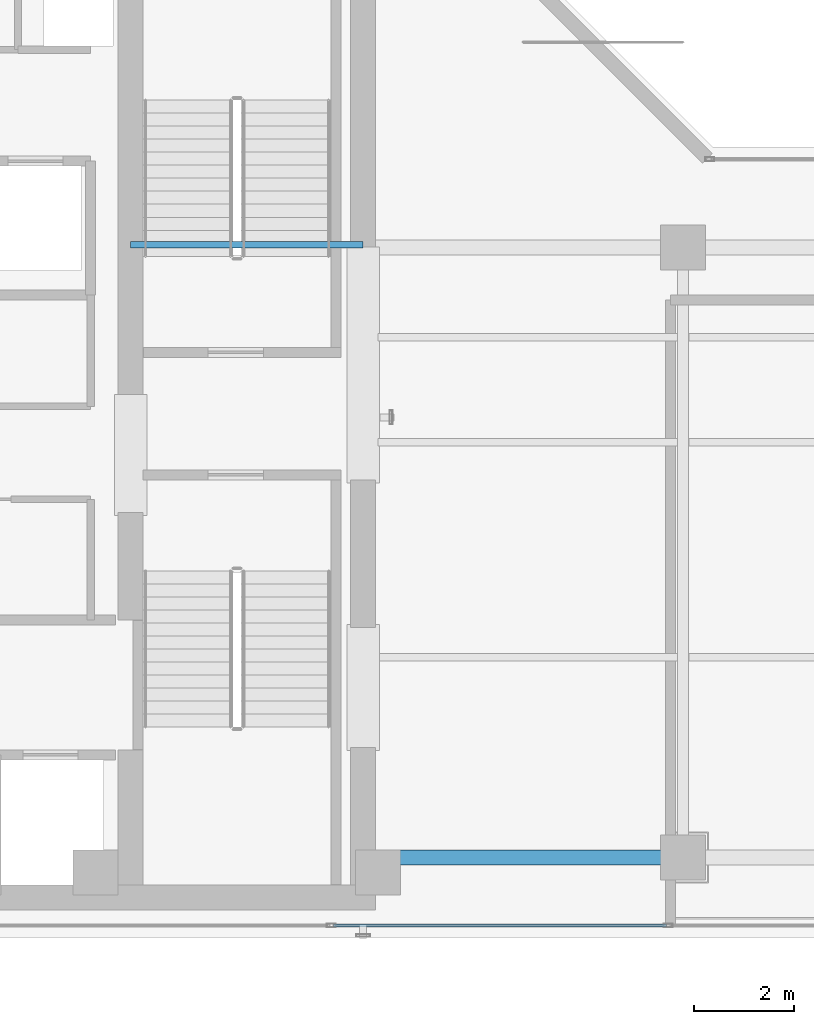
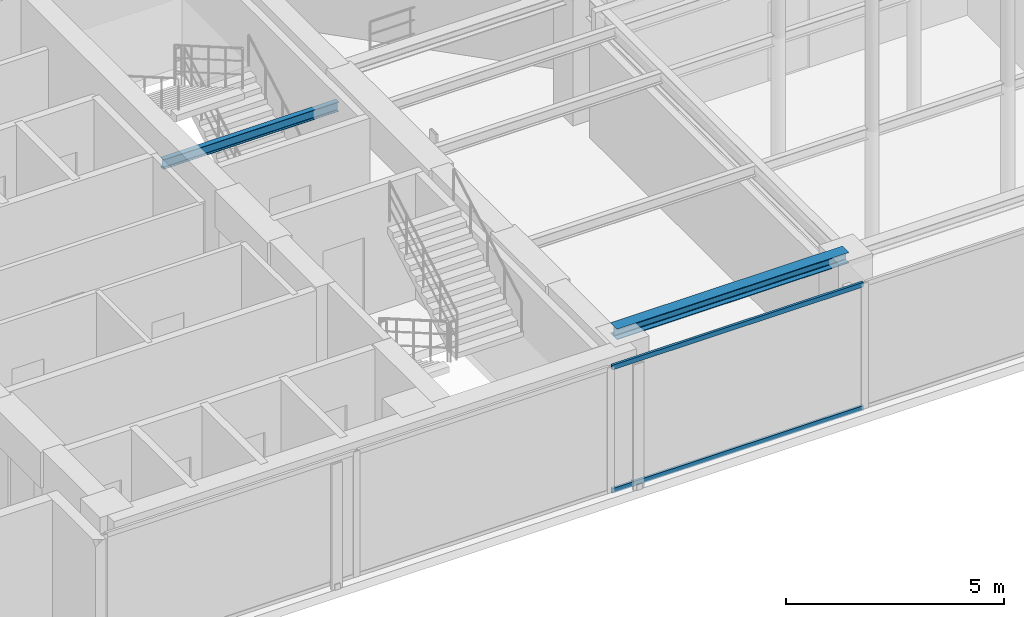
# One storey, part 5 of 32: 2 beams, 2 members, 1 element without a shape of its own.
"""IFC4 building model written with IfcOpenShell, lengths in metres."""

from ifc_helpers import new_model, si_unit, direction, frame, origin, origin_with_axes, origin_2d, place, context, subcontext, project, spatial, hollow_rectangle, i_section, extrude, source, transform, mapped, material, layer, layer_set, material_profile, profile_set, type_object, element, aggregate, save


model = new_model("IFC4")

# Units and contexts
model_context = context("Model", 3, precision=1e-05, world=origin(), true_north=direction((0.0, 1.0)))
body_context = subcontext(model_context, "Body", "Model", "MODEL_VIEW")
ifc_project = project(units=[si_unit("LENGTHUNIT", "METRE"), si_unit("AREAUNIT", "SQUARE_METRE"), si_unit("VOLUMEUNIT", "CUBIC_METRE"), si_unit("PLANEANGLEUNIT", "RADIAN"), si_unit("MASSUNIT", "GRAM", prefix="KILO")], contexts=[model_context])

# Site, building, storey
site_placement = place(None, origin())
site = spatial("IfcSite", under=ifc_project, at=site_placement, CompositionType="ELEMENT")
building_placement = place(site_placement, origin())
building = spatial("IfcBuilding", under=site, at=building_placement, Name="Kolvaren Waterfront Exchange", CompositionType="ELEMENT")
storey_placement = place(building_placement, frame((0.0, 0.0, 348.10009765625)))
storey = spatial("IfcBuildingStorey", under=building, at=storey_placement, Name="L89", CompositionType="ELEMENT", Elevation=348.10009765625)

# Beams
ifc_material_1 = material(Name="Steel S355", Category="steel")
ifc_material_profile_1 = material_profile(ifc_material_1, i_section(OverallWidth=0.300048828125, OverallDepth=0.300048828125, WebThickness=0.010986328125, FlangeThickness=0.01904296875, FilletRadius=0.027099609375, at=origin_2d()), Name="HEB300")
ifc_profile_set_1 = profile_set([ifc_material_profile_1], Name="Steel S355")
beam_type_1 = type_object("IfcBeamType", Name="STR-BM-HEB300", PredefinedType="SPANDREL", material=ifc_profile_set_1)
beam_1_placement = place(storey_placement, frame((21.050048828125, 5.199951171875, 3.369873046875), z_axis=(1.0, 0.0, 0.0), x_axis=(0.0, 1.0, 0.0)))
element("IfcBeam", 1, at=beam_1_placement, inside=storey, type_object=beam_type_1, Name="L89 east-arm spandrel S1", PredefinedType="SPANDREL", context=body_context, shape_type="SweptSolid", body=[
    extrude(i_section(OverallWidth=0.300048828125, OverallDepth=0.300048828125, WebThickness=0.010986328125, FlangeThickness=0.01904296875, FilletRadius=0.027099609375, at=origin_2d()), origin(), (0.0, 0.0, 1.0), 6.14990234375),
])
ifc_material_profile_2 = material_profile(ifc_material_1, i_section(OverallWidth=0.135009765625, OverallDepth=0.27001953125, WebThickness=0.006591796875, FlangeThickness=0.01025390625, FilletRadius=0.014892578125, at=origin_2d()), Name="IPE270")
ifc_profile_set_2 = profile_set([ifc_material_profile_2], Name="Steel S355")
beam_type_2 = type_object("IfcBeamType", Name="STR-BM-IPE270", PredefinedType="LINTEL", material=ifc_profile_set_2)
beam_2_placement = place(storey_placement, frame((16.14990234375, 17.449951171875, 2.364990234375), z_axis=(1.0, 0.0, 0.0), x_axis=(0.0, 1.0, 0.0)))
element("IfcBeam", 2, at=beam_2_placement, inside=storey, type_object=beam_type_2, Name="L89 core stair header lintel", PredefinedType="LINTEL", context=body_context, shape_type="SweptSolid", body=[
    extrude(i_section(OverallWidth=0.135009765625, OverallDepth=0.27001953125, WebThickness=0.006591796875, FlangeThickness=0.01025390625, FilletRadius=0.014892578125, at=origin_2d()), origin(), (0.0, 0.0, 1.0), 4.650146484375),
])

# Curtain wall, members
ifc_material_2 = material(Name="Anodised bronze aluminium 6063-T6", Category="aluminium")
ifc_layer = layer(ifc_material_2, 0.219970703125, Name="Anodised bronze aluminium 6063-T6")
ifc_layer_set = layer_set([ifc_layer], Name="Anodised bronze aluminium 6063-T6")
curtain_wall_type = type_object("IfcCurtainWallType", Name="ARC-CW-SYS5", PredefinedType="USERDEFINED", material=ifc_layer_set)
curtain_wall_placement = place(storey_placement, origin())
curtain_wall = element("IfcCurtainWall", 3, at=curtain_wall_placement, inside=storey, type_object=curtain_wall_type, Name="L89 stick curtain wall CW5 (CW-L89-S)", ObjectType="STICK CURTAIN WALL", PredefinedType="USERDEFINED")
ifc_material_profile_3 = material_profile(ifc_material_2, hollow_rectangle(XDim=0.06494140625, YDim=0.1298828125, WallThickness=0.00390625, at=origin_2d()), Name="ALU-TRN-130x65x4")
ifc_profile_set_3 = profile_set([ifc_material_profile_3], Name="Anodised bronze aluminium 6063-T6")
member_type = type_object("IfcMemberType", Name="ARC-CWT-130", PredefinedType="USERDEFINED", material=ifc_profile_set_3)
shared_shape = source(origin_with_axes(), body_context, "Body", "SweptSolid", [
    extrude(hollow_rectangle(XDim=0.06494140625, YDim=0.1298828125, WallThickness=0.00390625, at=origin_2d()), origin(), (0.0, 0.0, 1.0), 6.658447265625),
])
member_1_placement = place(storey_placement, frame((20.2041015625, 3.840087890625, 0.032470703125), z_axis=(1.0, 0.0, 0.0), x_axis=(0.0, 1.0, 0.0)))
member_1 = element("IfcMember", 4, at=member_1_placement, type_object=member_type, Name="CW5 transom 3.1", ObjectType="TRANSOM", PredefinedType="USERDEFINED", context=body_context, shape_type="MappedRepresentation", body=[
    mapped(shared_shape, transform((0.0, 0.0, 0.0), x_axis=(1.0, 0.0, 0.0), y_axis=(0.0, 1.0, 0.0), z_axis=(0.0, 0.0, 1.0), scale=1.0)),
])
member_2_placement = place(storey_placement, frame((20.2041015625, 3.840087890625, 3.4873046875), z_axis=(1.0, 0.0, 0.0), x_axis=(0.0, 1.0, 0.0)))
member_2 = element("IfcMember", 5, at=member_2_placement, type_object=member_type, Name="CW5 transom 3.2", ObjectType="TRANSOM", PredefinedType="USERDEFINED", context=body_context, shape_type="MappedRepresentation", body=[
    mapped(shared_shape, transform((0.0, 0.0, 0.0), x_axis=(1.0, 0.0, 0.0), y_axis=(0.0, 1.0, 0.0), z_axis=(0.0, 0.0, 1.0), scale=1.0)),
])
aggregate(curtain_wall, [member_1, member_2])

save(model, "model.ifc")
